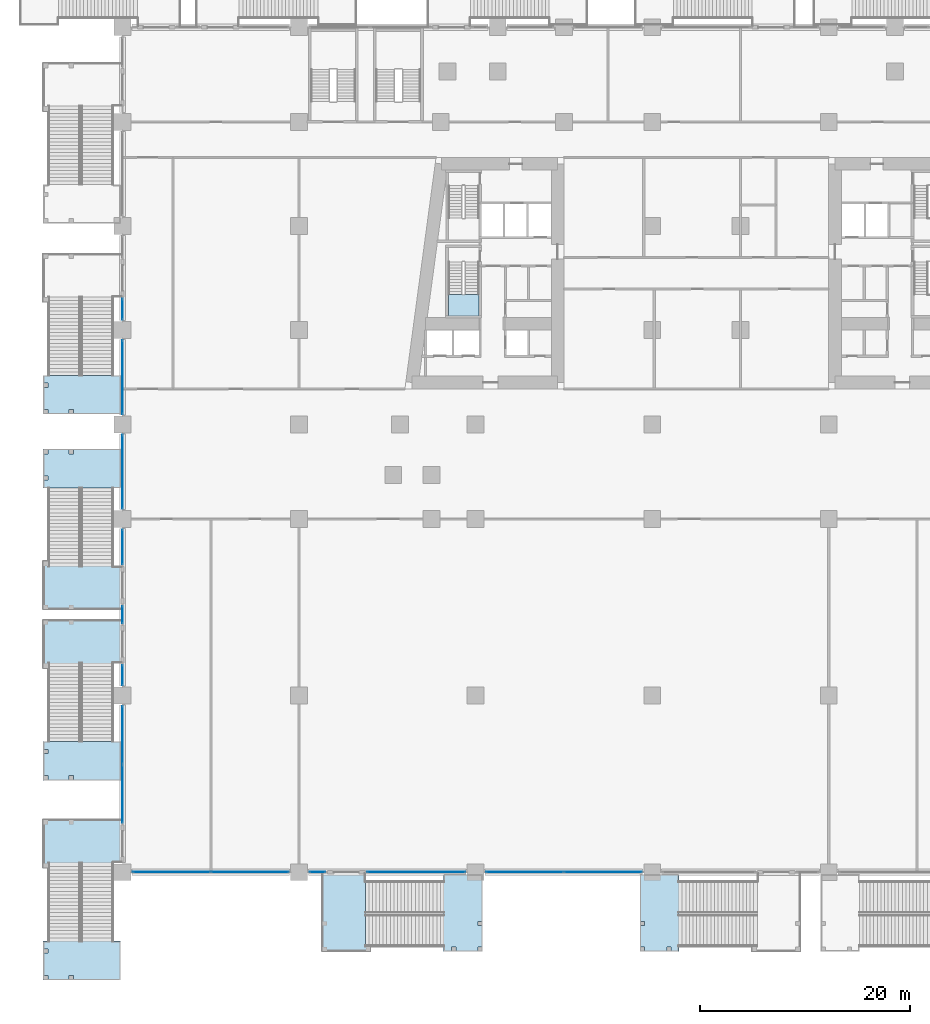
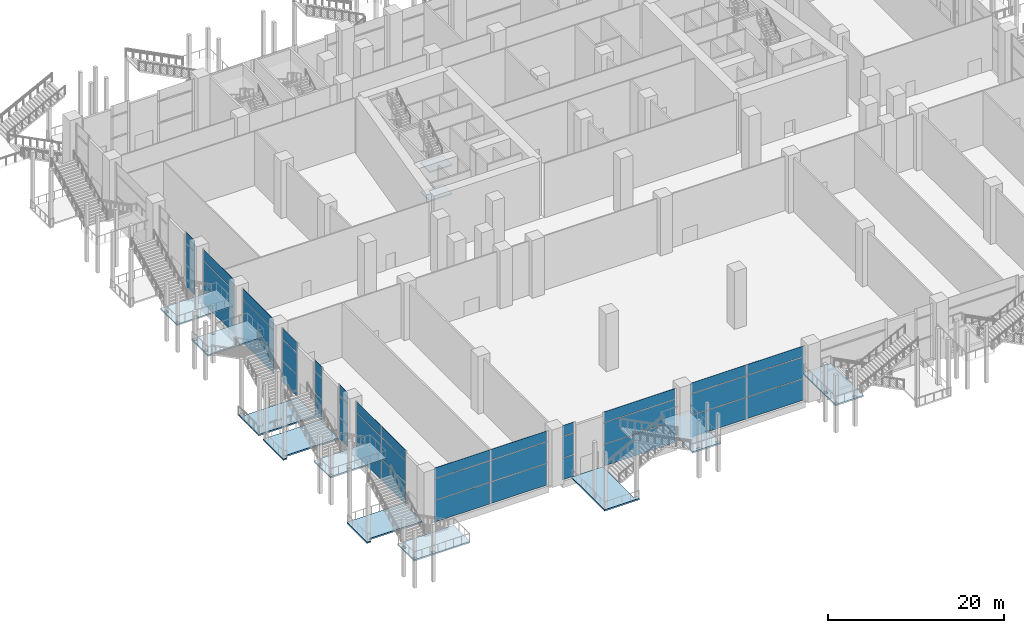
# One storey, part 16 of 52: 42 plates, 12 slabs, 18 elements without a shape of their own.
"""IFC4 building model written with IfcOpenShell, lengths in metres."""

import ifcopenshell
import ifcopenshell.guid

model = None  # the IFC model being written
_history = None  # IfcOwnerHistory: only IFC2X3 demands one
_inside = {}  # id of a spatial element -> (the spatial element, [elements in it])
_under = {}  # id of a project, library or spatial element -> (it, [spatial elements below it])
_declared = {}  # id of a project -> (the project, [libraries it declares])
_typed = {}  # id of a type object -> (the type object, [elements of that type])
_made_of = {}  # id of a material, layer set ... -> (it, [elements and type objects made of it])


def new_model(schema):
    """Start an empty IFC model of exactly this schema.

    Asked for "IFC4X3", IfcOpenShell would pick the latest addendum, in which some entities
    have other attributes; the version numbers below select the first issue.
    IFC2X3 requires an IfcOwnerHistory on every rooted entity: one is made here for all.
    """
    global model, _history
    if schema == "IFC4X3":
        model = ifcopenshell.file(schema_version=(4, 3, 0, 0))
    else:
        model = ifcopenshell.file(schema=schema)
    _inside.clear()
    _under.clear()
    _declared.clear()
    _typed.clear()
    _made_of.clear()
    _history = None
    if model.schema == "IFC2X3":
        org = make("IfcOrganization", Name="unknown")
        user = make(
            "IfcPersonAndOrganization",
            ThePerson=make("IfcPerson", FamilyName="unknown"),
            TheOrganization=org,
        )
        app = make(
            "IfcApplication",
            ApplicationDeveloper=org,
            Version="unknown",
            ApplicationFullName="unknown",
            ApplicationIdentifier="unknown",
        )
        _history = make(
            "IfcOwnerHistory",
            OwningUser=user,
            OwningApplication=app,
            ChangeAction="ADDED",
            CreationDate=0,
        )
    return model


def make(cls, **values):
    """One entity of the class cls with the attributes given. An attribute that is None is left unset."""
    return model.create_entity(
        cls, **{name: value for name, value in values.items() if value is not None}
    )


def rooted(cls, **values):
    """An entity with a GlobalId (a new one), such as an element, a storey or a relation."""
    return make(cls, GlobalId=ifcopenshell.guid.new(), OwnerHistory=_history, **values)


def si_unit(unit_type, name, prefix=None):
    """IfcSIUnit, for example si_unit("LENGTHUNIT", "METRE", prefix="MILLI")."""
    return make("IfcSIUnit", UnitType=unit_type, Prefix=prefix, Name=name)


def assignment(units):
    """IfcUnitAssignment: the units of a project."""
    return None if units is None else make("IfcUnitAssignment", Units=units)


def point(xyz):
    """IfcCartesianPoint."""
    return None if xyz is None else make("IfcCartesianPoint", Coordinates=xyz)


def direction(xyz):
    """IfcDirection."""
    return None if xyz is None else make("IfcDirection", DirectionRatios=xyz)


def frame(location, z_axis=None, x_axis=None):
    """IfcAxis2Placement3D, a coordinate frame: its origin and axes. An axis left out is left unset."""
    return make(
        "IfcAxis2Placement3D",
        Location=point(location),
        Axis=direction(z_axis),
        RefDirection=direction(x_axis),
    )


def frame_2d(location, x_axis=None):
    """IfcAxis2Placement2D, a coordinate frame in the plane: its origin and x axis."""
    return make(
        "IfcAxis2Placement2D", Location=point(location), RefDirection=direction(x_axis)
    )


def origin():
    """The frame at (0, 0, 0) with its axes left unset."""
    return frame((0.0, 0.0, 0.0))


def origin_2d():
    """The frame at (0, 0) in the plane with its x axis left unset."""
    return frame_2d((0.0, 0.0))


def place(relative_to, where):
    """IfcLocalPlacement: puts the frame where relative to a parent placement (None: the world)."""
    return make(
        "IfcLocalPlacement", PlacementRelTo=relative_to, RelativePlacement=where
    )


def context(
    kind, dimensions, precision=None, world=None, true_north=None, identifier=None
):
    """IfcGeometricRepresentationContext, for example the 3D "Model" context."""
    return make(
        "IfcGeometricRepresentationContext",
        ContextIdentifier=identifier,
        ContextType=kind,
        CoordinateSpaceDimension=dimensions,
        Precision=precision,
        WorldCoordinateSystem=world,
        TrueNorth=true_north,
    )


def subcontext(parent, identifier, kind, view, scale=None):
    """IfcGeometricRepresentationSubContext, for example "Body" below "Model"."""
    return make(
        "IfcGeometricRepresentationSubContext",
        ContextIdentifier=identifier,
        ContextType=kind,
        ParentContext=parent,
        TargetScale=scale,
        TargetView=view,
    )


def project(units=None, contexts=None):
    """IfcProject with its units and contexts."""
    return rooted(
        "IfcProject",
        Name="project",
        RepresentationContexts=contexts,
        UnitsInContext=assignment(units),
    )


def spatial(cls, under=None, at=None, **own):
    """A site, building, storey or space (cls), placed at a placement, below another one or the project."""
    s = rooted(cls, ObjectPlacement=at, **own)
    if under is not None:
        _under.setdefault(under.id(), (under, []))[1].append(s)
    return s


def polyline(points):
    """IfcPolyline through the points."""
    return make("IfcPolyline", Points=[point(p) for p in points])


def profile(cls, at=None, kind="AREA", **sizes):
    """A parametric profile (cls). Its sizes go by their IFC names, for example OverallWidth=200.0."""
    return make(cls, ProfileType=kind, Position=at, **sizes)


def rectangle(**sizes):
    """IfcRectangleProfileDef."""
    return profile("IfcRectangleProfileDef", **sizes)


def outline(outer, holes=None, kind="AREA"):
    """IfcArbitraryClosedProfileDef: a profile drawn as a closed curve; with holes, ...WithVoids."""
    if holes is None:
        return make("IfcArbitraryClosedProfileDef", ProfileType=kind, OuterCurve=outer)
    return make(
        "IfcArbitraryProfileDefWithVoids",
        ProfileType=kind,
        OuterCurve=outer,
        InnerCurves=holes,
    )


def extrude(swept, where, along, depth):
    """IfcExtrudedAreaSolid: the profile swept, set in the frame where, extruded along a direction by depth."""
    return make(
        "IfcExtrudedAreaSolid",
        SweptArea=swept,
        Position=where,
        ExtrudedDirection=direction(along),
        Depth=depth,
    )


def shape(context_of_items, identifier, shape_type, items):
    """IfcShapeRepresentation: the items that make up one representation, for example the "Body"."""
    return make(
        "IfcShapeRepresentation",
        ContextOfItems=context_of_items,
        RepresentationIdentifier=identifier,
        RepresentationType=shape_type,
        Items=items,
    )


def material(Name=None, Category=None):
    """IfcMaterial."""
    return make("IfcMaterial", Name=Name, Category=Category)


def layer(
    of_material, thickness, ventilated=None, Name=None, Category=None, Priority=None
):
    """IfcMaterialLayer: one layer of a wall or slab, of a material (None: an air gap)."""
    return make(
        "IfcMaterialLayer",
        Material=of_material,
        LayerThickness=thickness,
        IsVentilated=ventilated,
        Name=Name,
        Category=Category,
        Priority=Priority,
    )


def layer_set(layers, Name=None):
    """IfcMaterialLayerSet."""
    return make("IfcMaterialLayerSet", MaterialLayers=layers, LayerSetName=Name)


def made_of(thing, what):
    """Note that an element or type object is made of a material, layer set ...; save() writes the relation."""
    if what is not None:
        _made_of.setdefault(what.id(), (what, []))[1].append(thing)
    return thing


def type_object(cls, material=None, **own):
    """A type object (cls), such as IfcWallType, which elements share."""
    return made_of(rooted(cls, **own), material)


def element(
    cls,
    number,
    at=None,
    inside=None,
    cuts=None,
    type_object=None,
    material=None,
    context=None,
    identifier="Body",
    shape_type=None,
    held_by="IfcProductDefinitionShape",
    body=None,
    shapes=None,
    **own,
):
    """One element of the class cls, such as IfcWall. Its Tag is "e" and its number.

    at: its placement. inside: the storey or other place that contains it. cuts: it is an
    opening in that element (IfcRelVoidsElement). A single representation is given by context,
    identifier, shape_type and body (its items); several are given by shapes. held_by: the class
    of the entity that holds the representations. save() writes the other relations.
    """
    e = rooted(cls, Tag="e%d" % number, ObjectPlacement=at, **own)
    if body is not None:
        shapes = [shape(context, identifier, shape_type, body)]
    if shapes is not None:
        e.Representation = make(held_by, Representations=shapes)
    if inside is not None:
        _inside.setdefault(inside.id(), (inside, []))[1].append(e)
    if cuts is not None:
        rooted(
            "IfcRelVoidsElement", RelatingBuildingElement=cuts, RelatedOpeningElement=e
        )
    if type_object is not None:
        _typed.setdefault(type_object.id(), (type_object, []))[1].append(e)
    return made_of(e, material)


def aggregate(whole, parts):
    """IfcRelAggregates: a whole, such as a stair, and the parts it consists of."""
    return rooted("IfcRelAggregates", RelatingObject=whole, RelatedObjects=parts)


def save(model, path):
    """Write the relations noted so far, then the file.

    IfcRelAggregates (storeys below a building ...), IfcRelContainedInSpatialStructure (elements
    in a storey), IfcRelDefinesByType, IfcRelAssociatesMaterial and IfcRelDeclares: one each for
    every whole, place, type object, material and project.
    """
    for whole, parts in _under.values():
        aggregate(whole, parts)
    for where, things in _inside.values():
        rooted(
            "IfcRelContainedInSpatialStructure",
            RelatedElements=things,
            RelatingStructure=where,
        )
    for kind, things in _typed.values():
        rooted("IfcRelDefinesByType", RelatedObjects=things, RelatingType=kind)
    for what, things in _made_of.values():
        rooted("IfcRelAssociatesMaterial", RelatedObjects=things, RelatingMaterial=what)
    for by, libraries in _declared.values():
        rooted("IfcRelDeclares", RelatingContext=by, RelatedDefinitions=libraries)
    model.write(path)


model = new_model("IFC4")

# Units and contexts
model_context = context("Model", 3, precision=1e-05, world=origin(), true_north=direction((0.0, 1.0)))
body_context = subcontext(model_context, "Body", "Model", "MODEL_VIEW")
ifc_project = project(units=[si_unit("LENGTHUNIT", "METRE"), si_unit("AREAUNIT", "SQUARE_METRE"), si_unit("VOLUMEUNIT", "CUBIC_METRE"), si_unit("PLANEANGLEUNIT", "RADIAN"), si_unit("MASSUNIT", "GRAM", prefix="KILO")], contexts=[model_context])

# Site, building, storey
site_placement = place(None, origin())
site = spatial("IfcSite", under=ifc_project, at=site_placement, CompositionType="ELEMENT")
building_placement = place(site_placement, origin())
building = spatial("IfcBuilding", under=site, at=building_placement, Name="Candeia Pilgrim Tower and Theatre", CompositionType="ELEMENT")
storey_placement = place(building_placement, frame((0.0, 0.0, 9.0)))
storey = spatial("IfcBuildingStorey", under=building, at=storey_placement, Name="L01", CompositionType="ELEMENT", Elevation=9.0)

# Curtain wall, plates
ifc_material_1 = material(Name="Aluminium framed podium glazing", Category="aluminium")
curtain_wall_type = type_object("IfcCurtainWallType", Name="CW-P curtain wall", PredefinedType="NOTDEFINED", material=ifc_material_1)
curtain_wall_1_placement = place(storey_placement, origin())
curtain_wall_1 = element("IfcCurtainWall", 1, at=curtain_wall_1_placement, inside=storey, type_object=curtain_wall_type, Name="Curtain wall CW-P L01.000", PredefinedType="NOTDEFINED")
ifc_material_2 = material(Name="Laminated low-iron glass 2 x 8 mm", Category="glass")
ifc_layer_1 = layer(ifc_material_2, 0.035888671875)
ifc_layer_set_1 = layer_set([ifc_layer_1], Name="CW-P glass panel 36")
plate_type = type_object("IfcPlateType", Name="CW-P glass panel 36", PredefinedType="CURTAIN_PANEL", material=ifc_layer_set_1)
plate_1_placement = place(storey_placement, frame((58.800048828125, 71.85009765625, 0.0), z_axis=(0.0, 0.0, 1.0), x_axis=(0.0, 1.0, 0.0)))
plate_1 = element("IfcPlate", 2, at=plate_1_placement, type_object=plate_type, Name="CW-P panel 1.1", PredefinedType="CURTAIN_PANEL", context=body_context, shape_type="SweptSolid", body=[
    extrude(rectangle(XDim=5.52001953125, YDim=0.035888671875, at=origin_2d()), origin(), (0.0, 0.0, 1.0), 2.9599609375),
])
plate_2_placement = place(storey_placement, frame((58.800048828125, 71.85009765625, 3.0400390625), z_axis=(0.0, 0.0, 1.0), x_axis=(0.0, 1.0, 0.0)))
plate_2 = element("IfcPlate", 3, at=plate_2_placement, type_object=plate_type, Name="CW-P panel 1.2", PredefinedType="CURTAIN_PANEL", context=body_context, shape_type="SweptSolid", body=[
    extrude(rectangle(XDim=5.52001953125, YDim=0.035888671875, at=origin_2d()), origin(), (0.0, 0.0, 1.0), 2.919921875),
])
plate_3_placement = place(storey_placement, frame((58.800048828125, 71.85009765625, 6.0400390625), z_axis=(0.0, 0.0, 1.0), x_axis=(0.0, 1.0, 0.0)))
plate_3 = element("IfcPlate", 4, at=plate_3_placement, type_object=plate_type, Name="CW-P panel 1.3", PredefinedType="CURTAIN_PANEL", context=body_context, shape_type="SweptSolid", body=[
    extrude(rectangle(XDim=5.52001953125, YDim=0.035888671875, at=origin_2d()), origin(), (0.0, 0.0, 1.0), 1.4599609375),
])
plate_4_placement = place(storey_placement, frame((58.800048828125, 77.449951171875, 0.0), z_axis=(0.0, 0.0, 1.0), x_axis=(0.0, 1.0, 0.0)))
plate_4 = element("IfcPlate", 5, at=plate_4_placement, type_object=plate_type, Name="CW-P panel 2.1", PredefinedType="CURTAIN_PANEL", context=body_context, shape_type="SweptSolid", body=[
    extrude(rectangle(XDim=5.52001953125, YDim=0.035888671875, at=origin_2d()), origin(), (0.0, 0.0, 1.0), 2.9599609375),
])
plate_5_placement = place(storey_placement, frame((58.800048828125, 77.449951171875, 3.0400390625), z_axis=(0.0, 0.0, 1.0), x_axis=(0.0, 1.0, 0.0)))
plate_5 = element("IfcPlate", 6, at=plate_5_placement, type_object=plate_type, Name="CW-P panel 2.2", PredefinedType="CURTAIN_PANEL", context=body_context, shape_type="SweptSolid", body=[
    extrude(rectangle(XDim=5.52001953125, YDim=0.035888671875, at=origin_2d()), origin(), (0.0, 0.0, 1.0), 2.919921875),
])
plate_6_placement = place(storey_placement, frame((58.800048828125, 77.449951171875, 6.0400390625), z_axis=(0.0, 0.0, 1.0), x_axis=(0.0, 1.0, 0.0)))
plate_6 = element("IfcPlate", 7, at=plate_6_placement, type_object=plate_type, Name="CW-P panel 2.3", PredefinedType="CURTAIN_PANEL", context=body_context, shape_type="SweptSolid", body=[
    extrude(rectangle(XDim=5.52001953125, YDim=0.035888671875, at=origin_2d()), origin(), (0.0, 0.0, 1.0), 1.4599609375),
])
aggregate(curtain_wall_1, [plate_1, plate_2, plate_3, plate_4, plate_5, plate_6])

curtain_wall_2_placement = place(storey_placement, origin())
curtain_wall_2 = element("IfcCurtainWall", 8, at=curtain_wall_2_placement, inside=storey, type_object=curtain_wall_type, Name="Curtain wall CW-P L01.010", PredefinedType="NOTDEFINED")
plate_7_placement = place(storey_placement, frame((58.800048828125, 83.14990234375, 0.0), z_axis=(0.0, 0.0, 1.0), x_axis=(0.0, 1.0, 0.0)))
plate_7 = element("IfcPlate", 9, at=plate_7_placement, type_object=plate_type, Name="CW-P panel 1.1", PredefinedType="CURTAIN_PANEL", context=body_context, shape_type="SweptSolid", body=[
    extrude(rectangle(XDim=1.919921875, YDim=0.035888671875, at=origin_2d()), origin(), (0.0, 0.0, 1.0), 2.9599609375),
])
plate_8_placement = place(storey_placement, frame((58.800048828125, 83.14990234375, 3.0400390625), z_axis=(0.0, 0.0, 1.0), x_axis=(0.0, 1.0, 0.0)))
plate_8 = element("IfcPlate", 10, at=plate_8_placement, type_object=plate_type, Name="CW-P panel 1.2", PredefinedType="CURTAIN_PANEL", context=body_context, shape_type="SweptSolid", body=[
    extrude(rectangle(XDim=1.919921875, YDim=0.035888671875, at=origin_2d()), origin(), (0.0, 0.0, 1.0), 2.919921875),
])
plate_9_placement = place(storey_placement, frame((58.800048828125, 83.14990234375, 6.0400390625), z_axis=(0.0, 0.0, 1.0), x_axis=(0.0, 1.0, 0.0)))
plate_9 = element("IfcPlate", 11, at=plate_9_placement, type_object=plate_type, Name="CW-P panel 1.3", PredefinedType="CURTAIN_PANEL", context=body_context, shape_type="SweptSolid", body=[
    extrude(rectangle(XDim=1.919921875, YDim=0.035888671875, at=origin_2d()), origin(), (0.0, 0.0, 1.0), 1.4599609375),
])
aggregate(curtain_wall_2, [plate_7, plate_8, plate_9])

curtain_wall_3_placement = place(storey_placement, origin())
curtain_wall_3 = element("IfcCurtainWall", 12, at=curtain_wall_3_placement, inside=storey, type_object=curtain_wall_type, Name="Curtain wall CW-P L01.011", PredefinedType="NOTDEFINED")
plate_10_placement = place(storey_placement, frame((58.800048828125, 88.89990234375, 0.0), z_axis=(0.0, 0.0, 1.0), x_axis=(0.0, 1.0, 0.0)))
plate_10 = element("IfcPlate", 13, at=plate_10_placement, type_object=plate_type, Name="CW-P panel 1.1", PredefinedType="CURTAIN_PANEL", context=body_context, shape_type="SweptSolid", body=[
    extrude(rectangle(XDim=1.6201171875, YDim=0.035888671875, at=origin_2d()), origin(), (0.0, 0.0, 1.0), 2.9599609375),
])
plate_11_placement = place(storey_placement, frame((58.800048828125, 88.89990234375, 3.0400390625), z_axis=(0.0, 0.0, 1.0), x_axis=(0.0, 1.0, 0.0)))
plate_11 = element("IfcPlate", 14, at=plate_11_placement, type_object=plate_type, Name="CW-P panel 1.2", PredefinedType="CURTAIN_PANEL", context=body_context, shape_type="SweptSolid", body=[
    extrude(rectangle(XDim=1.6201171875, YDim=0.035888671875, at=origin_2d()), origin(), (0.0, 0.0, 1.0), 2.919921875),
])
plate_12_placement = place(storey_placement, frame((58.800048828125, 88.89990234375, 6.0400390625), z_axis=(0.0, 0.0, 1.0), x_axis=(0.0, 1.0, 0.0)))
plate_12 = element("IfcPlate", 15, at=plate_12_placement, type_object=plate_type, Name="CW-P panel 1.3", PredefinedType="CURTAIN_PANEL", context=body_context, shape_type="SweptSolid", body=[
    extrude(rectangle(XDim=1.6201171875, YDim=0.035888671875, at=origin_2d()), origin(), (0.0, 0.0, 1.0), 1.4599609375),
])
aggregate(curtain_wall_3, [plate_10, plate_11, plate_12])

curtain_wall_4_placement = place(storey_placement, origin())
curtain_wall_4 = element("IfcCurtainWall", 16, at=curtain_wall_4_placement, inside=storey, type_object=curtain_wall_type, Name="Curtain wall CW-P L01.012", PredefinedType="NOTDEFINED")
plate_13_placement = place(storey_placement, frame((58.800048828125, 95.35009765625, 0.0), z_axis=(0.0, 0.0, 1.0), x_axis=(0.0, 1.0, 0.0)))
plate_13 = element("IfcPlate", 17, at=plate_13_placement, type_object=plate_type, Name="CW-P panel 1.1", PredefinedType="CURTAIN_PANEL", context=body_context, shape_type="SweptSolid", body=[
    extrude(rectangle(XDim=3.320068359375, YDim=0.035888671875, at=origin_2d()), origin(), (0.0, 0.0, 1.0), 2.9599609375),
])
plate_14_placement = place(storey_placement, frame((58.800048828125, 95.35009765625, 3.0400390625), z_axis=(0.0, 0.0, 1.0), x_axis=(0.0, 1.0, 0.0)))
plate_14 = element("IfcPlate", 18, at=plate_14_placement, type_object=plate_type, Name="CW-P panel 1.2", PredefinedType="CURTAIN_PANEL", context=body_context, shape_type="SweptSolid", body=[
    extrude(rectangle(XDim=3.320068359375, YDim=0.035888671875, at=origin_2d()), origin(), (0.0, 0.0, 1.0), 2.919921875),
])
plate_15_placement = place(storey_placement, frame((58.800048828125, 95.35009765625, 6.0400390625), z_axis=(0.0, 0.0, 1.0), x_axis=(0.0, 1.0, 0.0)))
plate_15 = element("IfcPlate", 19, at=plate_15_placement, type_object=plate_type, Name="CW-P panel 1.3", PredefinedType="CURTAIN_PANEL", context=body_context, shape_type="SweptSolid", body=[
    extrude(rectangle(XDim=3.320068359375, YDim=0.035888671875, at=origin_2d()), origin(), (0.0, 0.0, 1.0), 1.4599609375),
])
aggregate(curtain_wall_4, [plate_13, plate_14, plate_15])

curtain_wall_5_placement = place(storey_placement, origin())
curtain_wall_5 = element("IfcCurtainWall", 20, at=curtain_wall_5_placement, inside=storey, type_object=curtain_wall_type, Name="Curtain wall CW-P L01.020", PredefinedType="NOTDEFINED")
plate_16_placement = place(storey_placement, frame((58.800048828125, 102.5, 0.0), z_axis=(0.0, 0.0, 1.0), x_axis=(0.0, 1.0, 0.0)))
plate_16 = element("IfcPlate", 21, at=plate_16_placement, type_object=plate_type, Name="CW-P panel 1.1", PredefinedType="CURTAIN_PANEL", context=body_context, shape_type="SweptSolid", body=[
    extrude(rectangle(XDim=7.02001953125, YDim=0.035888671875, at=origin_2d()), origin(), (0.0, 0.0, 1.0), 2.9599609375),
])
plate_17_placement = place(storey_placement, frame((58.800048828125, 102.5, 3.0400390625), z_axis=(0.0, 0.0, 1.0), x_axis=(0.0, 1.0, 0.0)))
plate_17 = element("IfcPlate", 22, at=plate_17_placement, type_object=plate_type, Name="CW-P panel 1.2", PredefinedType="CURTAIN_PANEL", context=body_context, shape_type="SweptSolid", body=[
    extrude(rectangle(XDim=7.02001953125, YDim=0.035888671875, at=origin_2d()), origin(), (0.0, 0.0, 1.0), 2.919921875),
])
plate_18_placement = place(storey_placement, frame((58.800048828125, 102.5, 6.0400390625), z_axis=(0.0, 0.0, 1.0), x_axis=(0.0, 1.0, 0.0)))
plate_18 = element("IfcPlate", 23, at=plate_18_placement, type_object=plate_type, Name="CW-P panel 1.3", PredefinedType="CURTAIN_PANEL", context=body_context, shape_type="SweptSolid", body=[
    extrude(rectangle(XDim=7.02001953125, YDim=0.035888671875, at=origin_2d()), origin(), (0.0, 0.0, 1.0), 1.4599609375),
])
aggregate(curtain_wall_5, [plate_16, plate_17, plate_18])

curtain_wall_6_placement = place(storey_placement, origin())
curtain_wall_6 = element("IfcCurtainWall", 24, at=curtain_wall_6_placement, inside=storey, type_object=curtain_wall_type, Name="Curtain wall CW-P L01.030", PredefinedType="NOTDEFINED")
plate_19_placement = place(storey_placement, frame((58.800048828125, 111.5, 0.0), z_axis=(0.0, 0.0, 1.0), x_axis=(0.0, 1.0, 0.0)))
plate_19 = element("IfcPlate", 25, at=plate_19_placement, type_object=plate_type, Name="CW-P panel 1.1", PredefinedType="CURTAIN_PANEL", context=body_context, shape_type="SweptSolid", body=[
    extrude(rectangle(XDim=7.02001953125, YDim=0.035888671875, at=origin_2d()), origin(), (0.0, 0.0, 1.0), 2.9599609375),
])
plate_20_placement = place(storey_placement, frame((58.800048828125, 111.5, 3.0400390625), z_axis=(0.0, 0.0, 1.0), x_axis=(0.0, 1.0, 0.0)))
plate_20 = element("IfcPlate", 26, at=plate_20_placement, type_object=plate_type, Name="CW-P panel 1.2", PredefinedType="CURTAIN_PANEL", context=body_context, shape_type="SweptSolid", body=[
    extrude(rectangle(XDim=7.02001953125, YDim=0.035888671875, at=origin_2d()), origin(), (0.0, 0.0, 1.0), 2.919921875),
])
plate_21_placement = place(storey_placement, frame((58.800048828125, 111.5, 6.0400390625), z_axis=(0.0, 0.0, 1.0), x_axis=(0.0, 1.0, 0.0)))
plate_21 = element("IfcPlate", 27, at=plate_21_placement, type_object=plate_type, Name="CW-P panel 1.3", PredefinedType="CURTAIN_PANEL", context=body_context, shape_type="SweptSolid", body=[
    extrude(rectangle(XDim=7.02001953125, YDim=0.035888671875, at=origin_2d()), origin(), (0.0, 0.0, 1.0), 1.4599609375),
])
aggregate(curtain_wall_6, [plate_19, plate_20, plate_21])

curtain_wall_7_placement = place(storey_placement, origin())
curtain_wall_7 = element("IfcCurtainWall", 28, at=curtain_wall_7_placement, inside=storey, type_object=curtain_wall_type, Name="Curtain wall CW-P L01.040", PredefinedType="NOTDEFINED")
plate_22_placement = place(storey_placement, frame((58.800048828125, 117.97509765625, 0.0), z_axis=(0.0, 0.0, 1.0), x_axis=(0.0, 1.0, 0.0)))
plate_22 = element("IfcPlate", 29, at=plate_22_placement, type_object=plate_type, Name="CW-P panel 1.1", PredefinedType="CURTAIN_PANEL", context=body_context, shape_type="SweptSolid", body=[
    extrude(rectangle(XDim=1.969970703125, YDim=0.035888671875, at=origin_2d()), origin(), (0.0, 0.0, 1.0), 2.9599609375),
])
plate_23_placement = place(storey_placement, frame((58.800048828125, 117.97509765625, 3.0400390625), z_axis=(0.0, 0.0, 1.0), x_axis=(0.0, 1.0, 0.0)))
plate_23 = element("IfcPlate", 30, at=plate_23_placement, type_object=plate_type, Name="CW-P panel 1.2", PredefinedType="CURTAIN_PANEL", context=body_context, shape_type="SweptSolid", body=[
    extrude(rectangle(XDim=1.969970703125, YDim=0.035888671875, at=origin_2d()), origin(), (0.0, 0.0, 1.0), 2.919921875),
])
plate_24_placement = place(storey_placement, frame((58.800048828125, 117.97509765625, 6.0400390625), z_axis=(0.0, 0.0, 1.0), x_axis=(0.0, 1.0, 0.0)))
plate_24 = element("IfcPlate", 31, at=plate_24_placement, type_object=plate_type, Name="CW-P panel 1.3", PredefinedType="CURTAIN_PANEL", context=body_context, shape_type="SweptSolid", body=[
    extrude(rectangle(XDim=1.969970703125, YDim=0.035888671875, at=origin_2d()), origin(), (0.0, 0.0, 1.0), 1.4599609375),
])
aggregate(curtain_wall_7, [plate_22, plate_23, plate_24])

curtain_wall_8_placement = place(storey_placement, origin())
curtain_wall_8 = element("IfcCurtainWall", 32, at=curtain_wall_8_placement, inside=storey, type_object=curtain_wall_type, Name="Curtain wall CW-P L01.330", PredefinedType="NOTDEFINED")
plate_25_placement = place(storey_placement, frame((104.52490234375, 64.39990234375, 0.0), z_axis=(0.0, 0.0, 1.0), x_axis=(-1.0, 0.0, 0.0)))
plate_25 = element("IfcPlate", 33, at=plate_25_placement, type_object=plate_type, Name="CW-P panel 1.1", PredefinedType="CURTAIN_PANEL", context=body_context, shape_type="SweptSolid", body=[
    extrude(rectangle(XDim=7.3701171875, YDim=0.035888671875, at=origin_2d()), origin(), (0.0, 0.0, 1.0), 2.9599609375),
])
plate_26_placement = place(storey_placement, frame((104.52490234375, 64.39990234375, 3.0400390625), z_axis=(0.0, 0.0, 1.0), x_axis=(-1.0, 0.0, 0.0)))
plate_26 = element("IfcPlate", 34, at=plate_26_placement, type_object=plate_type, Name="CW-P panel 1.2", PredefinedType="CURTAIN_PANEL", context=body_context, shape_type="SweptSolid", body=[
    extrude(rectangle(XDim=7.3701171875, YDim=0.035888671875, at=origin_2d()), origin(), (0.0, 0.0, 1.0), 2.919921875),
])
plate_27_placement = place(storey_placement, frame((104.52490234375, 64.39990234375, 6.0400390625), z_axis=(0.0, 0.0, 1.0), x_axis=(-1.0, 0.0, 0.0)))
plate_27 = element("IfcPlate", 35, at=plate_27_placement, type_object=plate_type, Name="CW-P panel 1.3", PredefinedType="CURTAIN_PANEL", context=body_context, shape_type="SweptSolid", body=[
    extrude(rectangle(XDim=7.3701171875, YDim=0.035888671875, at=origin_2d()), origin(), (0.0, 0.0, 1.0), 1.4599609375),
])
plate_28_placement = place(storey_placement, frame((97.074951171875, 64.39990234375, 0.0), z_axis=(0.0, 0.0, 1.0), x_axis=(-1.0, 0.0, 0.0)))
plate_28 = element("IfcPlate", 36, at=plate_28_placement, type_object=plate_type, Name="CW-P panel 2.1", PredefinedType="CURTAIN_PANEL", context=body_context, shape_type="SweptSolid", body=[
    extrude(rectangle(XDim=7.3701171875, YDim=0.035888671875, at=origin_2d()), origin(), (0.0, 0.0, 1.0), 2.9599609375),
])
plate_29_placement = place(storey_placement, frame((97.074951171875, 64.39990234375, 3.0400390625), z_axis=(0.0, 0.0, 1.0), x_axis=(-1.0, 0.0, 0.0)))
plate_29 = element("IfcPlate", 37, at=plate_29_placement, type_object=plate_type, Name="CW-P panel 2.2", PredefinedType="CURTAIN_PANEL", context=body_context, shape_type="SweptSolid", body=[
    extrude(rectangle(XDim=7.3701171875, YDim=0.035888671875, at=origin_2d()), origin(), (0.0, 0.0, 1.0), 2.919921875),
])
plate_30_placement = place(storey_placement, frame((97.074951171875, 64.39990234375, 6.0400390625), z_axis=(0.0, 0.0, 1.0), x_axis=(-1.0, 0.0, 0.0)))
plate_30 = element("IfcPlate", 38, at=plate_30_placement, type_object=plate_type, Name="CW-P panel 2.3", PredefinedType="CURTAIN_PANEL", context=body_context, shape_type="SweptSolid", body=[
    extrude(rectangle(XDim=7.3701171875, YDim=0.035888671875, at=origin_2d()), origin(), (0.0, 0.0, 1.0), 1.4599609375),
])
aggregate(curtain_wall_8, [plate_25, plate_26, plate_27, plate_28, plate_29, plate_30])

curtain_wall_9_placement = place(storey_placement, origin())
curtain_wall_9 = element("IfcCurtainWall", 39, at=curtain_wall_9_placement, inside=storey, type_object=curtain_wall_type, Name="Curtain wall CW-P L01.340", PredefinedType="NOTDEFINED")
plate_31_placement = place(storey_placement, frame((86.75, 64.39990234375, 0.0), z_axis=(0.0, 0.0, 1.0), x_axis=(-1.0, 0.0, 0.0)))
plate_31 = element("IfcPlate", 40, at=plate_31_placement, type_object=plate_type, Name="CW-P panel 1.1", PredefinedType="CURTAIN_PANEL", context=body_context, shape_type="SweptSolid", body=[
    extrude(rectangle(XDim=9.320068359375, YDim=0.035888671875, at=origin_2d()), origin(), (0.0, 0.0, 1.0), 2.9599609375),
])
plate_32_placement = place(storey_placement, frame((86.75, 64.39990234375, 3.0400390625), z_axis=(0.0, 0.0, 1.0), x_axis=(-1.0, 0.0, 0.0)))
plate_32 = element("IfcPlate", 41, at=plate_32_placement, type_object=plate_type, Name="CW-P panel 1.2", PredefinedType="CURTAIN_PANEL", context=body_context, shape_type="SweptSolid", body=[
    extrude(rectangle(XDim=9.320068359375, YDim=0.035888671875, at=origin_2d()), origin(), (0.0, 0.0, 1.0), 2.919921875),
])
plate_33_placement = place(storey_placement, frame((86.75, 64.39990234375, 6.0400390625), z_axis=(0.0, 0.0, 1.0), x_axis=(-1.0, 0.0, 0.0)))
plate_33 = element("IfcPlate", 42, at=plate_33_placement, type_object=plate_type, Name="CW-P panel 1.3", PredefinedType="CURTAIN_PANEL", context=body_context, shape_type="SweptSolid", body=[
    extrude(rectangle(XDim=9.320068359375, YDim=0.035888671875, at=origin_2d()), origin(), (0.0, 0.0, 1.0), 1.4599609375),
])
aggregate(curtain_wall_9, [plate_31, plate_32, plate_33])

curtain_wall_10_placement = place(storey_placement, origin())
curtain_wall_10 = element("IfcCurtainWall", 43, at=curtain_wall_10_placement, inside=storey, type_object=curtain_wall_type, Name="Curtain wall CW-P L01.341", PredefinedType="NOTDEFINED")
plate_34_placement = place(storey_placement, frame((77.35009765625, 64.39990234375, 0.0), z_axis=(0.0, 0.0, 1.0), x_axis=(-1.0, 0.0, 0.0)))
plate_34 = element("IfcPlate", 44, at=plate_34_placement, type_object=plate_type, Name="CW-P panel 1.1", PredefinedType="CURTAIN_PANEL", context=body_context, shape_type="SweptSolid", body=[
    extrude(rectangle(XDim=1.52001953125, YDim=0.035888671875, at=origin_2d()), origin(), (0.0, 0.0, 1.0), 2.9599609375),
])
plate_35_placement = place(storey_placement, frame((77.35009765625, 64.39990234375, 3.0400390625), z_axis=(0.0, 0.0, 1.0), x_axis=(-1.0, 0.0, 0.0)))
plate_35 = element("IfcPlate", 45, at=plate_35_placement, type_object=plate_type, Name="CW-P panel 1.2", PredefinedType="CURTAIN_PANEL", context=body_context, shape_type="SweptSolid", body=[
    extrude(rectangle(XDim=1.52001953125, YDim=0.035888671875, at=origin_2d()), origin(), (0.0, 0.0, 1.0), 2.919921875),
])
plate_36_placement = place(storey_placement, frame((77.35009765625, 64.39990234375, 6.0400390625), z_axis=(0.0, 0.0, 1.0), x_axis=(-1.0, 0.0, 0.0)))
plate_36 = element("IfcPlate", 46, at=plate_36_placement, type_object=plate_type, Name="CW-P panel 1.3", PredefinedType="CURTAIN_PANEL", context=body_context, shape_type="SweptSolid", body=[
    extrude(rectangle(XDim=1.52001953125, YDim=0.035888671875, at=origin_2d()), origin(), (0.0, 0.0, 1.0), 1.4599609375),
])
aggregate(curtain_wall_10, [plate_34, plate_35, plate_36])

curtain_wall_11_placement = place(storey_placement, origin())
curtain_wall_11 = element("IfcCurtainWall", 47, at=curtain_wall_11_placement, inside=storey, type_object=curtain_wall_type, Name="Curtain wall CW-P L01.350", PredefinedType="NOTDEFINED")
plate_37_placement = place(storey_placement, frame((70.925048828125, 64.39990234375, 0.0), z_axis=(0.0, 0.0, 1.0), x_axis=(-1.0, 0.0, 0.0)))
plate_37 = element("IfcPlate", 48, at=plate_37_placement, type_object=plate_type, Name="CW-P panel 1.1", PredefinedType="CURTAIN_PANEL", context=body_context, shape_type="SweptSolid", body=[
    extrude(rectangle(XDim=7.3701171875, YDim=0.035888671875, at=origin_2d()), origin(), (0.0, 0.0, 1.0), 2.9599609375),
])
plate_38_placement = place(storey_placement, frame((70.925048828125, 64.39990234375, 3.0400390625), z_axis=(0.0, 0.0, 1.0), x_axis=(-1.0, 0.0, 0.0)))
plate_38 = element("IfcPlate", 49, at=plate_38_placement, type_object=plate_type, Name="CW-P panel 1.2", PredefinedType="CURTAIN_PANEL", context=body_context, shape_type="SweptSolid", body=[
    extrude(rectangle(XDim=7.3701171875, YDim=0.035888671875, at=origin_2d()), origin(), (0.0, 0.0, 1.0), 2.919921875),
])
plate_39_placement = place(storey_placement, frame((70.925048828125, 64.39990234375, 6.0400390625), z_axis=(0.0, 0.0, 1.0), x_axis=(-1.0, 0.0, 0.0)))
plate_39 = element("IfcPlate", 50, at=plate_39_placement, type_object=plate_type, Name="CW-P panel 1.3", PredefinedType="CURTAIN_PANEL", context=body_context, shape_type="SweptSolid", body=[
    extrude(rectangle(XDim=7.3701171875, YDim=0.035888671875, at=origin_2d()), origin(), (0.0, 0.0, 1.0), 1.4599609375),
])
plate_40_placement = place(storey_placement, frame((63.47509765625, 64.39990234375, 0.0), z_axis=(0.0, 0.0, 1.0), x_axis=(-1.0, 0.0, 0.0)))
plate_40 = element("IfcPlate", 51, at=plate_40_placement, type_object=plate_type, Name="CW-P panel 2.1", PredefinedType="CURTAIN_PANEL", context=body_context, shape_type="SweptSolid", body=[
    extrude(rectangle(XDim=7.3701171875, YDim=0.035888671875, at=origin_2d()), origin(), (0.0, 0.0, 1.0), 2.9599609375),
])
plate_41_placement = place(storey_placement, frame((63.47509765625, 64.39990234375, 3.0400390625), z_axis=(0.0, 0.0, 1.0), x_axis=(-1.0, 0.0, 0.0)))
plate_41 = element("IfcPlate", 52, at=plate_41_placement, type_object=plate_type, Name="CW-P panel 2.2", PredefinedType="CURTAIN_PANEL", context=body_context, shape_type="SweptSolid", body=[
    extrude(rectangle(XDim=7.3701171875, YDim=0.035888671875, at=origin_2d()), origin(), (0.0, 0.0, 1.0), 2.919921875),
])
plate_42_placement = place(storey_placement, frame((63.47509765625, 64.39990234375, 6.0400390625), z_axis=(0.0, 0.0, 1.0), x_axis=(-1.0, 0.0, 0.0)))
plate_42 = element("IfcPlate", 53, at=plate_42_placement, type_object=plate_type, Name="CW-P panel 2.3", PredefinedType="CURTAIN_PANEL", context=body_context, shape_type="SweptSolid", body=[
    extrude(rectangle(XDim=7.3701171875, YDim=0.035888671875, at=origin_2d()), origin(), (0.0, 0.0, 1.0), 1.4599609375),
])
aggregate(curtain_wall_11, [plate_37, plate_38, plate_39, plate_40, plate_41, plate_42])

# Slab
ifc_material_3 = material(Name="Concrete C40/50", Category="concrete")
ifc_layer_2 = layer(ifc_material_3, 0.199951171875)
ifc_layer_set_2 = layer_set([ifc_layer_2], Name="SL-EXT stair landing")
slab_type_1 = type_object("IfcSlabType", Name="SL-EXT stair landing", PredefinedType="LANDING", material=ifc_layer_set_2)
slab_1_placement = place(storey_placement, frame((0.0, 0.0, -0.199951171875)))
element("IfcSlab", 54, at=slab_1_placement, inside=storey, type_object=slab_type_1, Name="L01 External escape stair ES8 floor landing", PredefinedType="LANDING", context=body_context, shape_type="SweptSolid", body=[
    extrude(outline(polyline([(77.800048828125, 64.35009765625), (81.919921875, 64.35009765625), (81.919921875, 57.35009765625), (82.39990234375, 57.35009765625), (82.39990234375, 56.85009765625), (77.800048828125, 56.85009765625), (77.800048828125, 64.35009765625)])), origin(), (0.0, 0.0, 1.0), 0.199951171875),
])

# Stair, slab
stair_type_1 = type_object("IfcStairType", Name="ST-EXT external escape stair", PredefinedType="HALF_TURN_STAIR", material=ifc_material_3)
stair_1_placement = place(storey_placement, origin())
stair_1 = element("IfcStair", 55, at=stair_1_placement, inside=storey, type_object=stair_type_1, Name="L01 External escape stair ES8", PredefinedType="HALF_TURN_STAIR")
slab_2_placement = place(storey_placement, frame((0.0, 0.0, 3.800048828125)))
slab_2 = element("IfcSlab", 56, at=slab_2_placement, type_object=slab_type_1, Name="L01 External escape stair ES8 landing", PredefinedType="LANDING", context=body_context, shape_type="SweptSolid", body=[
    extrude(outline(polyline([(89.360107421875, 64.199951171875), (93.06005859375, 64.199951171875), (93.06005859375, 56.85009765625), (89.360107421875, 56.85009765625), (89.360107421875, 64.199951171875)]), holes=[polyline([(90.110107421875, 56.89990234375), (90.510009765625, 56.89990234375), (90.510009765625, 57.300048828125), (90.110107421875, 57.300048828125), (90.110107421875, 56.89990234375)]), polyline([(92.610107421875, 56.89990234375), (93.010009765625, 56.89990234375), (93.010009765625, 57.300048828125), (92.610107421875, 57.300048828125), (92.610107421875, 56.89990234375)]), polyline([(92.610107421875, 59.324951171875), (93.010009765625, 59.324951171875), (93.010009765625, 59.72509765625), (92.610107421875, 59.72509765625), (92.610107421875, 59.324951171875)])]), origin(), (0.0, 0.0, 1.0), 0.199951171875),
])
aggregate(stair_1, [slab_2])

stair_2_placement = place(storey_placement, origin())
stair_2 = element("IfcStair", 57, at=stair_2_placement, inside=storey, type_object=stair_type_1, Name="L01 External escape stair ES9", PredefinedType="HALF_TURN_STAIR")
slab_3_placement = place(storey_placement, frame((0.0, 0.0, 3.800048828125)))
slab_3 = element("IfcSlab", 58, at=slab_3_placement, type_object=slab_type_1, Name="L01 External escape stair ES9 landing", PredefinedType="LANDING", context=body_context, shape_type="SweptSolid", body=[
    extrude(outline(polyline([(111.739990234375, 64.199951171875), (108.0400390625, 64.199951171875), (108.0400390625, 56.85009765625), (111.739990234375, 56.85009765625), (111.739990234375, 64.199951171875)]), holes=[polyline([(110.590087890625, 56.89990234375), (110.989990234375, 56.89990234375), (110.989990234375, 57.300048828125), (110.590087890625, 57.300048828125), (110.590087890625, 56.89990234375)]), polyline([(108.090087890625, 56.89990234375), (108.489990234375, 56.89990234375), (108.489990234375, 57.300048828125), (108.090087890625, 57.300048828125), (108.090087890625, 56.89990234375)]), polyline([(108.090087890625, 59.324951171875), (108.489990234375, 59.324951171875), (108.489990234375, 59.72509765625), (108.090087890625, 59.72509765625), (108.090087890625, 59.324951171875)])]), origin(), (0.0, 0.0, 1.0), 0.199951171875),
])
aggregate(stair_2, [slab_3])

# Slab
slab_4_placement = place(storey_placement, frame((0.0, 0.0, -0.199951171875)))
element("IfcSlab", 59, at=slab_4_placement, inside=storey, type_object=slab_type_1, Name="L01 External escape stair ES10 floor landing", PredefinedType="LANDING", context=body_context, shape_type="SweptSolid", body=[
    extrude(outline(polyline([(58.75, 69.39990234375), (58.75, 65.280029296875), (51.75, 65.280029296875), (51.75, 64.800048828125), (51.25, 64.800048828125), (51.25, 69.39990234375), (58.75, 69.39990234375)])), origin(), (0.0, 0.0, 1.0), 0.199951171875),
])

# Stair, slab
stair_3_placement = place(storey_placement, origin())
stair_3 = element("IfcStair", 60, at=stair_3_placement, inside=storey, type_object=stair_type_1, Name="L01 External escape stair ES10", PredefinedType="HALF_TURN_STAIR")
slab_5_placement = place(storey_placement, frame((0.0, 0.0, 3.800048828125)))
slab_5 = element("IfcSlab", 61, at=slab_5_placement, type_object=slab_type_1, Name="L01 External escape stair ES10 landing", PredefinedType="LANDING", context=body_context, shape_type="SweptSolid", body=[
    extrude(outline(polyline([(58.60009765625, 57.840087890625), (58.60009765625, 54.139892578125), (51.25, 54.139892578125), (51.25, 57.840087890625), (58.60009765625, 57.840087890625)]), holes=[polyline([(51.300048828125, 56.68994140625), (51.699951171875, 56.68994140625), (51.699951171875, 57.090087890625), (51.300048828125, 57.090087890625), (51.300048828125, 56.68994140625)]), polyline([(51.300048828125, 54.18994140625), (51.699951171875, 54.18994140625), (51.699951171875, 54.590087890625), (51.300048828125, 54.590087890625), (51.300048828125, 54.18994140625)]), polyline([(53.72509765625, 54.18994140625), (54.125, 54.18994140625), (54.125, 54.590087890625), (53.72509765625, 54.590087890625), (53.72509765625, 54.18994140625)])]), origin(), (0.0, 0.0, 1.0), 0.199951171875),
])
aggregate(stair_3, [slab_5])

# Slab
slab_6_placement = place(storey_placement, frame((0.0, 0.0, -0.199951171875)))
element("IfcSlab", 62, at=slab_6_placement, inside=storey, type_object=slab_type_1, Name="L01 External escape stair ES11 floor landing", PredefinedType="LANDING", context=body_context, shape_type="SweptSolid", body=[
    extrude(outline(polyline([(58.75, 88.39990234375), (58.75, 84.280029296875), (51.75, 84.280029296875), (51.75, 83.800048828125), (51.25, 83.800048828125), (51.25, 88.39990234375), (58.75, 88.39990234375)])), origin(), (0.0, 0.0, 1.0), 0.199951171875),
])

# Stair, slab
stair_4_placement = place(storey_placement, origin())
stair_4 = element("IfcStair", 63, at=stair_4_placement, inside=storey, type_object=stair_type_1, Name="L01 External escape stair ES11", PredefinedType="HALF_TURN_STAIR")
slab_7_placement = place(storey_placement, frame((0.0, 0.0, 3.800048828125)))
slab_7 = element("IfcSlab", 64, at=slab_7_placement, type_object=slab_type_1, Name="L01 External escape stair ES11 landing", PredefinedType="LANDING", context=body_context, shape_type="SweptSolid", body=[
    extrude(outline(polyline([(58.60009765625, 76.840087890625), (58.60009765625, 73.139892578125), (51.25, 73.139892578125), (51.25, 76.840087890625), (58.60009765625, 76.840087890625)]), holes=[polyline([(51.300048828125, 75.68994140625), (51.699951171875, 75.68994140625), (51.699951171875, 76.090087890625), (51.300048828125, 76.090087890625), (51.300048828125, 75.68994140625)]), polyline([(51.300048828125, 73.18994140625), (51.699951171875, 73.18994140625), (51.699951171875, 73.590087890625), (51.300048828125, 73.590087890625), (51.300048828125, 73.18994140625)]), polyline([(53.72509765625, 73.18994140625), (54.125, 73.18994140625), (54.125, 73.590087890625), (53.72509765625, 73.590087890625), (53.72509765625, 73.18994140625)])]), origin(), (0.0, 0.0, 1.0), 0.199951171875),
])
aggregate(stair_4, [slab_7])

# Slab
slab_8_placement = place(storey_placement, frame((0.0, 0.0, -0.199951171875)))
element("IfcSlab", 65, at=slab_8_placement, inside=storey, type_object=slab_type_1, Name="L01 External escape stair ES12 floor landing", PredefinedType="LANDING", context=body_context, shape_type="SweptSolid", body=[
    extrude(outline(polyline([(58.75, 89.39990234375), (58.75, 93.52001953125), (51.75, 93.52001953125), (51.75, 94.0), (51.25, 94.0), (51.25, 89.39990234375), (58.75, 89.39990234375)])), origin(), (0.0, 0.0, 1.0), 0.199951171875),
])

# Stair, slab
stair_5_placement = place(storey_placement, origin())
stair_5 = element("IfcStair", 66, at=stair_5_placement, inside=storey, type_object=stair_type_1, Name="L01 External escape stair ES12", PredefinedType="HALF_TURN_STAIR")
slab_9_placement = place(storey_placement, frame((0.0, 0.0, 3.800048828125)))
slab_9 = element("IfcSlab", 67, at=slab_9_placement, type_object=slab_type_1, Name="L01 External escape stair ES12 landing", PredefinedType="LANDING", context=body_context, shape_type="SweptSolid", body=[
    extrude(outline(polyline([(58.60009765625, 100.9599609375), (58.60009765625, 104.659912109375), (51.25, 104.659912109375), (51.25, 100.9599609375), (58.60009765625, 100.9599609375)]), holes=[polyline([(51.300048828125, 101.7099609375), (51.699951171875, 101.7099609375), (51.699951171875, 102.110107421875), (51.300048828125, 102.110107421875), (51.300048828125, 101.7099609375)]), polyline([(51.300048828125, 104.2099609375), (51.699951171875, 104.2099609375), (51.699951171875, 104.610107421875), (51.300048828125, 104.610107421875), (51.300048828125, 104.2099609375)]), polyline([(53.72509765625, 104.2099609375), (54.125, 104.2099609375), (54.125, 104.610107421875), (53.72509765625, 104.610107421875), (53.72509765625, 104.2099609375)])]), origin(), (0.0, 0.0, 1.0), 0.199951171875),
])
aggregate(stair_5, [slab_9])

stair_6_placement = place(storey_placement, origin())
stair_6 = element("IfcStair", 68, at=stair_6_placement, inside=storey, type_object=stair_type_1, Name="L01 External escape stair ES15", PredefinedType="HALF_TURN_STAIR")
slab_10_placement = place(storey_placement, frame((0.0, 0.0, 3.800048828125)))
slab_10 = element("IfcSlab", 69, at=slab_10_placement, type_object=slab_type_1, Name="L01 External escape stair ES15 landing", PredefinedType="LANDING", context=body_context, shape_type="SweptSolid", body=[
    extrude(outline(polyline([(58.60009765625, 111.68994140625), (58.60009765625, 107.989990234375), (51.25, 107.989990234375), (51.25, 111.68994140625), (58.60009765625, 111.68994140625)]), holes=[polyline([(51.300048828125, 110.5400390625), (51.699951171875, 110.5400390625), (51.699951171875, 110.93994140625), (51.300048828125, 110.93994140625), (51.300048828125, 110.5400390625)]), polyline([(51.300048828125, 108.0400390625), (51.699951171875, 108.0400390625), (51.699951171875, 108.43994140625), (51.300048828125, 108.43994140625), (51.300048828125, 108.0400390625)]), polyline([(53.72509765625, 108.0400390625), (54.125, 108.0400390625), (54.125, 108.43994140625), (53.72509765625, 108.43994140625), (53.72509765625, 108.0400390625)])]), origin(), (0.0, 0.0, 1.0), 0.199951171875),
])
aggregate(stair_6, [slab_10])

# Stair, slabs
stair_type_2 = type_object("IfcStairType", Name="ST-TWR dog-leg escape stair", PredefinedType="HALF_TURN_STAIR", material=ifc_material_3)
stair_7_placement = place(storey_placement, origin())
stair_7 = element("IfcStair", 70, at=stair_7_placement, inside=storey, type_object=stair_type_2, Name="L01 Escape stair ST1", PredefinedType="HALF_TURN_STAIR")
ifc_layer_3 = layer(ifc_material_3, 0.199951171875)
ifc_layer_set_3 = layer_set([ifc_layer_3], Name="SL-LANDING stair landing")
slab_type_2 = type_object("IfcSlabType", Name="SL-LANDING stair landing", PredefinedType="LANDING", material=ifc_layer_set_3)
slab_11_placement = place(storey_placement, frame((0.0, 0.0, 1.800048828125)))
slab_11 = element("IfcSlab", 71, at=slab_11_placement, type_object=slab_type_2, Name="ST1 landing 1", PredefinedType="LANDING", context=body_context, shape_type="SweptSolid", body=[
    extrude(outline(polyline([(89.802001953125, 119.39501953125), (89.802001953125, 117.324951171875), (92.701904296875, 117.324951171875), (92.701904296875, 119.39501953125), (89.802001953125, 119.39501953125)])), origin(), (0.0, 0.0, 1.0), 0.199951171875),
])
slab_12_placement = place(storey_placement, frame((0.0, 0.0, 5.800048828125)))
slab_12 = element("IfcSlab", 72, at=slab_12_placement, type_object=slab_type_2, Name="ST1 landing 3", PredefinedType="LANDING", context=body_context, shape_type="SweptSolid", body=[
    extrude(outline(polyline([(89.802001953125, 119.39501953125), (89.802001953125, 117.324951171875), (92.701904296875, 117.324951171875), (92.701904296875, 119.39501953125), (89.802001953125, 119.39501953125)])), origin(), (0.0, 0.0, 1.0), 0.199951171875),
])
aggregate(stair_7, [slab_11, slab_12])

save(model, "model.ifc")
